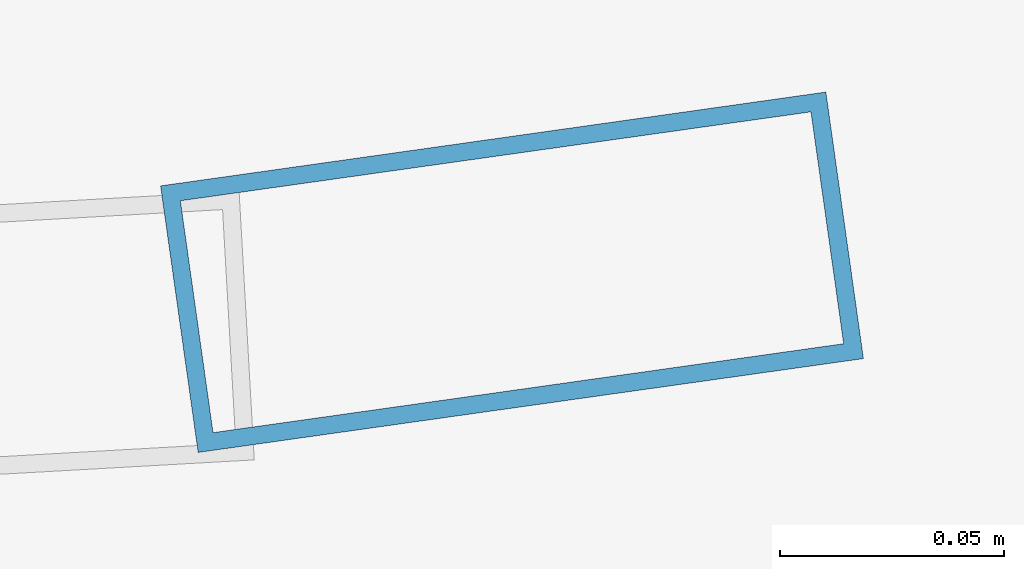
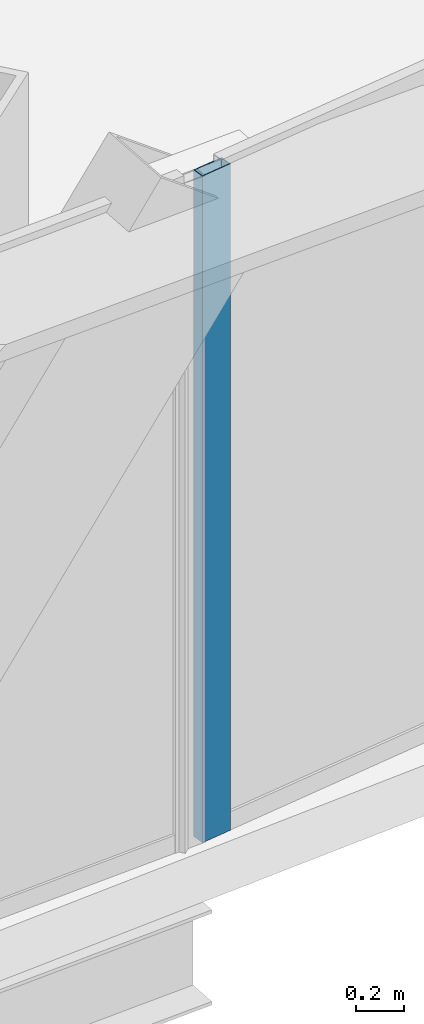
# One storey, part 16 of 41: 1 member, 1 element without a shape of its own.
"""IFC4 building model written with IfcOpenShell, lengths in metres."""

import ifcopenshell
import ifcopenshell.guid

model = None  # the IFC model being written
_history = None  # IfcOwnerHistory: only IFC2X3 demands one
_inside = {}  # id of a spatial element -> (the spatial element, [elements in it])
_under = {}  # id of a project, library or spatial element -> (it, [spatial elements below it])
_declared = {}  # id of a project -> (the project, [libraries it declares])
_typed = {}  # id of a type object -> (the type object, [elements of that type])
_made_of = {}  # id of a material, layer set ... -> (it, [elements and type objects made of it])


def new_model(schema):
    """Start an empty IFC model of exactly this schema.

    Asked for "IFC4X3", IfcOpenShell would pick the latest addendum, in which some entities
    have other attributes; the version numbers below select the first issue.
    IFC2X3 requires an IfcOwnerHistory on every rooted entity: one is made here for all.
    """
    global model, _history
    if schema == "IFC4X3":
        model = ifcopenshell.file(schema_version=(4, 3, 0, 0))
    else:
        model = ifcopenshell.file(schema=schema)
    _inside.clear()
    _under.clear()
    _declared.clear()
    _typed.clear()
    _made_of.clear()
    _history = None
    if model.schema == "IFC2X3":
        org = make("IfcOrganization", Name="unknown")
        user = make(
            "IfcPersonAndOrganization",
            ThePerson=make("IfcPerson", FamilyName="unknown"),
            TheOrganization=org,
        )
        app = make(
            "IfcApplication",
            ApplicationDeveloper=org,
            Version="unknown",
            ApplicationFullName="unknown",
            ApplicationIdentifier="unknown",
        )
        _history = make(
            "IfcOwnerHistory",
            OwningUser=user,
            OwningApplication=app,
            ChangeAction="ADDED",
            CreationDate=0,
        )
    return model


def make(cls, **values):
    """One entity of the class cls with the attributes given. An attribute that is None is left unset."""
    return model.create_entity(
        cls, **{name: value for name, value in values.items() if value is not None}
    )


def rooted(cls, **values):
    """An entity with a GlobalId (a new one), such as an element, a storey or a relation."""
    return make(cls, GlobalId=ifcopenshell.guid.new(), OwnerHistory=_history, **values)


def si_unit(unit_type, name, prefix=None):
    """IfcSIUnit, for example si_unit("LENGTHUNIT", "METRE", prefix="MILLI")."""
    return make("IfcSIUnit", UnitType=unit_type, Prefix=prefix, Name=name)


def assignment(units):
    """IfcUnitAssignment: the units of a project."""
    return None if units is None else make("IfcUnitAssignment", Units=units)


def point(xyz):
    """IfcCartesianPoint."""
    return None if xyz is None else make("IfcCartesianPoint", Coordinates=xyz)


def direction(xyz):
    """IfcDirection."""
    return None if xyz is None else make("IfcDirection", DirectionRatios=xyz)


def frame(location, z_axis=None, x_axis=None):
    """IfcAxis2Placement3D, a coordinate frame: its origin and axes. An axis left out is left unset."""
    return make(
        "IfcAxis2Placement3D",
        Location=point(location),
        Axis=direction(z_axis),
        RefDirection=direction(x_axis),
    )


def frame_2d(location, x_axis=None):
    """IfcAxis2Placement2D, a coordinate frame in the plane: its origin and x axis."""
    return make(
        "IfcAxis2Placement2D", Location=point(location), RefDirection=direction(x_axis)
    )


def origin():
    """The frame at (0, 0, 0) with its axes left unset."""
    return frame((0.0, 0.0, 0.0))


def origin_2d():
    """The frame at (0, 0) in the plane with its x axis left unset."""
    return frame_2d((0.0, 0.0))


def place(relative_to, where):
    """IfcLocalPlacement: puts the frame where relative to a parent placement (None: the world)."""
    return make(
        "IfcLocalPlacement", PlacementRelTo=relative_to, RelativePlacement=where
    )


def context(
    kind, dimensions, precision=None, world=None, true_north=None, identifier=None
):
    """IfcGeometricRepresentationContext, for example the 3D "Model" context."""
    return make(
        "IfcGeometricRepresentationContext",
        ContextIdentifier=identifier,
        ContextType=kind,
        CoordinateSpaceDimension=dimensions,
        Precision=precision,
        WorldCoordinateSystem=world,
        TrueNorth=true_north,
    )


def subcontext(parent, identifier, kind, view, scale=None):
    """IfcGeometricRepresentationSubContext, for example "Body" below "Model"."""
    return make(
        "IfcGeometricRepresentationSubContext",
        ContextIdentifier=identifier,
        ContextType=kind,
        ParentContext=parent,
        TargetScale=scale,
        TargetView=view,
    )


def project(units=None, contexts=None):
    """IfcProject with its units and contexts."""
    return rooted(
        "IfcProject",
        Name="project",
        RepresentationContexts=contexts,
        UnitsInContext=assignment(units),
    )


def spatial(cls, under=None, at=None, **own):
    """A site, building, storey or space (cls), placed at a placement, below another one or the project."""
    s = rooted(cls, ObjectPlacement=at, **own)
    if under is not None:
        _under.setdefault(under.id(), (under, []))[1].append(s)
    return s


def profile(cls, at=None, kind="AREA", **sizes):
    """A parametric profile (cls). Its sizes go by their IFC names, for example OverallWidth=200.0."""
    return make(cls, ProfileType=kind, Position=at, **sizes)


def hollow_rectangle(**sizes):
    """IfcRectangleHollowProfileDef."""
    return profile("IfcRectangleHollowProfileDef", **sizes)


def extrude(swept, where, along, depth):
    """IfcExtrudedAreaSolid: the profile swept, set in the frame where, extruded along a direction by depth."""
    return make(
        "IfcExtrudedAreaSolid",
        SweptArea=swept,
        Position=where,
        ExtrudedDirection=direction(along),
        Depth=depth,
    )


def shape(context_of_items, identifier, shape_type, items):
    """IfcShapeRepresentation: the items that make up one representation, for example the "Body"."""
    return make(
        "IfcShapeRepresentation",
        ContextOfItems=context_of_items,
        RepresentationIdentifier=identifier,
        RepresentationType=shape_type,
        Items=items,
    )


def source(mapping_origin, context_of_items, identifier, shape_type, items):
    """IfcRepresentationMap: a shape defined once, which mapped items show again and again."""
    return make(
        "IfcRepresentationMap",
        MappingOrigin=mapping_origin,
        MappedRepresentation=shape(context_of_items, identifier, shape_type, items),
    )


def transform(
    local_origin,
    x_axis=None,
    y_axis=None,
    z_axis=None,
    scale=None,
    scale2=None,
    scale3=None,
    uniform=True,
):
    """IfcCartesianTransformationOperator3D, or its non-uniform kind. x_axis, y_axis, z_axis: its Axis1, 2, 3."""
    if uniform:
        return make(
            "IfcCartesianTransformationOperator3D",
            Axis1=direction(x_axis),
            Axis2=direction(y_axis),
            LocalOrigin=point(local_origin),
            Scale=scale,
            Axis3=direction(z_axis),
        )
    return make(
        "IfcCartesianTransformationOperator3DnonUniform",
        Axis1=direction(x_axis),
        Axis2=direction(y_axis),
        LocalOrigin=point(local_origin),
        Scale=scale,
        Axis3=direction(z_axis),
        Scale2=scale2,
        Scale3=scale3,
    )


def mapped(mapping_source, mapping_target):
    """IfcMappedItem: shows the shape of a source again, moved by a transform."""
    return make(
        "IfcMappedItem", MappingSource=mapping_source, MappingTarget=mapping_target
    )


def material(Name=None, Category=None):
    """IfcMaterial."""
    return make("IfcMaterial", Name=Name, Category=Category)


def layer(
    of_material, thickness, ventilated=None, Name=None, Category=None, Priority=None
):
    """IfcMaterialLayer: one layer of a wall or slab, of a material (None: an air gap)."""
    return make(
        "IfcMaterialLayer",
        Material=of_material,
        LayerThickness=thickness,
        IsVentilated=ventilated,
        Name=Name,
        Category=Category,
        Priority=Priority,
    )


def layer_set(layers, Name=None):
    """IfcMaterialLayerSet."""
    return make("IfcMaterialLayerSet", MaterialLayers=layers, LayerSetName=Name)


def material_profile(
    of_material, cross_section, Name=None, Category=None, Priority=None
):
    """IfcMaterialProfile: a cross section and its material."""
    return make(
        "IfcMaterialProfile",
        Name=Name,
        Material=of_material,
        Profile=cross_section,
        Priority=Priority,
        Category=Category,
    )


def profile_set(profiles, Name=None, composite=None):
    """IfcMaterialProfileSet."""
    return make(
        "IfcMaterialProfileSet",
        Name=Name,
        MaterialProfiles=profiles,
        CompositeProfile=composite,
    )


def made_of(thing, what):
    """Note that an element or type object is made of a material, layer set ...; save() writes the relation."""
    if what is not None:
        _made_of.setdefault(what.id(), (what, []))[1].append(thing)
    return thing


def type_object(cls, material=None, **own):
    """A type object (cls), such as IfcWallType, which elements share."""
    return made_of(rooted(cls, **own), material)


def element(
    cls,
    number,
    at=None,
    inside=None,
    cuts=None,
    type_object=None,
    material=None,
    context=None,
    identifier="Body",
    shape_type=None,
    held_by="IfcProductDefinitionShape",
    body=None,
    shapes=None,
    **own,
):
    """One element of the class cls, such as IfcWall. Its Tag is "e" and its number.

    at: its placement. inside: the storey or other place that contains it. cuts: it is an
    opening in that element (IfcRelVoidsElement). A single representation is given by context,
    identifier, shape_type and body (its items); several are given by shapes. held_by: the class
    of the entity that holds the representations. save() writes the other relations.
    """
    e = rooted(cls, Tag="e%d" % number, ObjectPlacement=at, **own)
    if body is not None:
        shapes = [shape(context, identifier, shape_type, body)]
    if shapes is not None:
        e.Representation = make(held_by, Representations=shapes)
    if inside is not None:
        _inside.setdefault(inside.id(), (inside, []))[1].append(e)
    if cuts is not None:
        rooted(
            "IfcRelVoidsElement", RelatingBuildingElement=cuts, RelatedOpeningElement=e
        )
    if type_object is not None:
        _typed.setdefault(type_object.id(), (type_object, []))[1].append(e)
    return made_of(e, material)


def aggregate(whole, parts):
    """IfcRelAggregates: a whole, such as a stair, and the parts it consists of."""
    return rooted("IfcRelAggregates", RelatingObject=whole, RelatedObjects=parts)


def save(model, path):
    """Write the relations noted so far, then the file.

    IfcRelAggregates (storeys below a building ...), IfcRelContainedInSpatialStructure (elements
    in a storey), IfcRelDefinesByType, IfcRelAssociatesMaterial and IfcRelDeclares: one each for
    every whole, place, type object, material and project.
    """
    for whole, parts in _under.values():
        aggregate(whole, parts)
    for where, things in _inside.values():
        rooted(
            "IfcRelContainedInSpatialStructure",
            RelatedElements=things,
            RelatingStructure=where,
        )
    for kind, things in _typed.values():
        rooted("IfcRelDefinesByType", RelatedObjects=things, RelatingType=kind)
    for what, things in _made_of.values():
        rooted("IfcRelAssociatesMaterial", RelatedObjects=things, RelatingMaterial=what)
    for by, libraries in _declared.values():
        rooted("IfcRelDeclares", RelatingContext=by, RelatedDefinitions=libraries)
    model.write(path)


model = new_model("IFC4")

# Units and contexts
model_context = context("Model", 3, precision=1e-05, world=origin(), true_north=direction((0.0, 1.0)))
body_context = subcontext(model_context, "Body", "Model", "MODEL_VIEW")
ifc_project = project(units=[si_unit("LENGTHUNIT", "METRE"), si_unit("AREAUNIT", "SQUARE_METRE"), si_unit("VOLUMEUNIT", "CUBIC_METRE"), si_unit("PLANEANGLEUNIT", "RADIAN"), si_unit("MASSUNIT", "GRAM", prefix="KILO"), si_unit("THERMODYNAMICTEMPERATUREUNIT", "KELVIN"), si_unit("POWERUNIT", "WATT")], contexts=[model_context])

# Site, building, storey
site_placement = place(None, origin())
site = spatial("IfcSite", under=ifc_project, at=site_placement, CompositionType="ELEMENT")
building_placement = place(site_placement, origin())
building = spatial("IfcBuilding", under=site, at=building_placement, Name="Yunzhuo Pagoda Commons", CompositionType="ELEMENT")
storey_placement = place(building_placement, frame((0.0, 0.0, 155.590087890625)))
storey = spatial("IfcBuildingStorey", under=building, at=storey_placement, Name="L39", CompositionType="ELEMENT", Elevation=155.590087890625)

# Curtain wall, member
ifc_material = material(Name="Anodized aluminium 6063-T6", Category="aluminium")
ifc_layer = layer(ifc_material, 0.14990234375)
ifc_layer_set = layer_set([ifc_layer], Name="Anodized aluminium 6063-T6")
curtain_wall_type = type_object("IfcCurtainWallType", Name="CW-MID Mid-Zone Ribbon Curtain Wall", PredefinedType="NOTDEFINED", material=ifc_layer_set)
curtain_wall_placement = place(storey_placement, origin())
curtain_wall = element("IfcCurtainWall", 1, at=curtain_wall_placement, inside=storey, type_object=curtain_wall_type, Name="L39 curtain wall CW-L39-F1B5", PredefinedType="NOTDEFINED")
ifc_material_profile = material_profile(ifc_material, hollow_rectangle(XDim=0.06005859375, YDim=0.14990234375, WallThickness=0.00390625, at=origin_2d()), Name="Anodized aluminium 6063-T6")
ifc_profile_set = profile_set([ifc_material_profile], Name="Anodized aluminium 6063-T6")
member_type = type_object("IfcMemberType", Name="CW-MID-M Mullion RHS 150x60x4", PredefinedType="MULLION", material=ifc_profile_set)
shared_shape = source(origin(), body_context, "Body", "SweptSolid", [
    extrude(hollow_rectangle(XDim=0.06005859375, YDim=0.14990234375, WallThickness=0.00390625, at=origin_2d()), origin(), (0.0, 0.0, 1.0), 3.419921875),
])
member_placement = place(storey_placement, frame((64.576904296875, 14.083251953125, 0.0), z_axis=(0.0, 0.0, 1.0), x_axis=(-0.13962976996, 0.990203780714, 0.0)))
member = element("IfcMember", 2, at=member_placement, type_object=member_type, Name="CW mullion 1", PredefinedType="MULLION", context=body_context, shape_type="MappedRepresentation", body=[
    mapped(shared_shape, transform((0.0, 0.0, 0.0), scale=1.0)),
])
aggregate(curtain_wall, [member])

save(model, "model.ifc")
